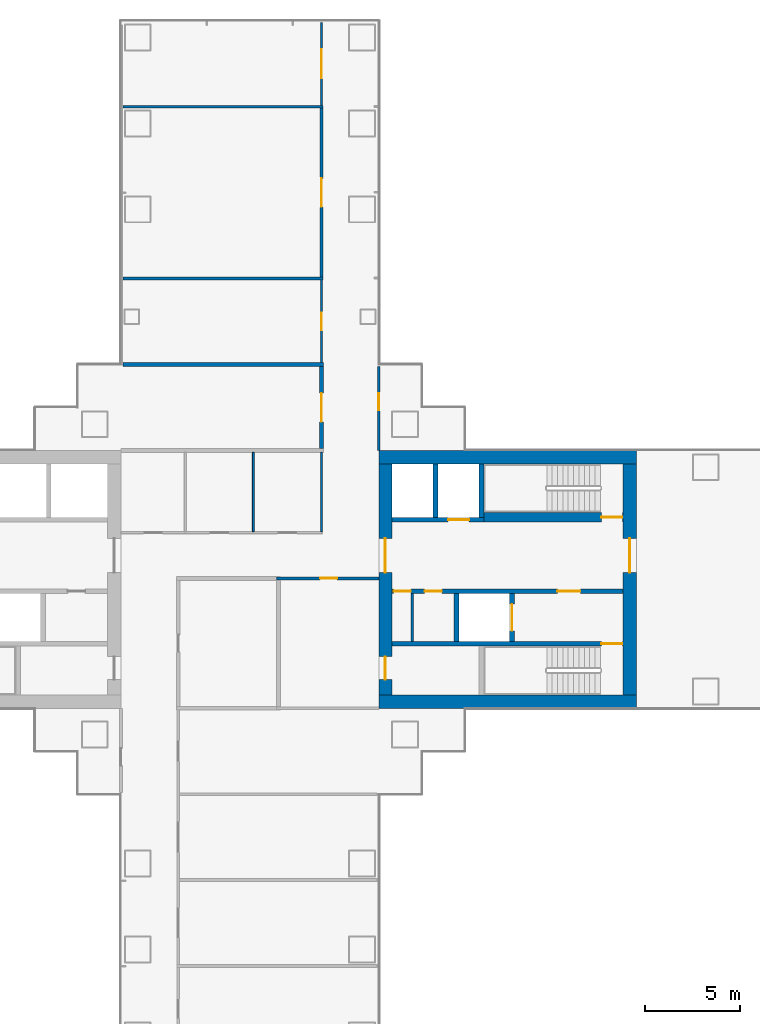
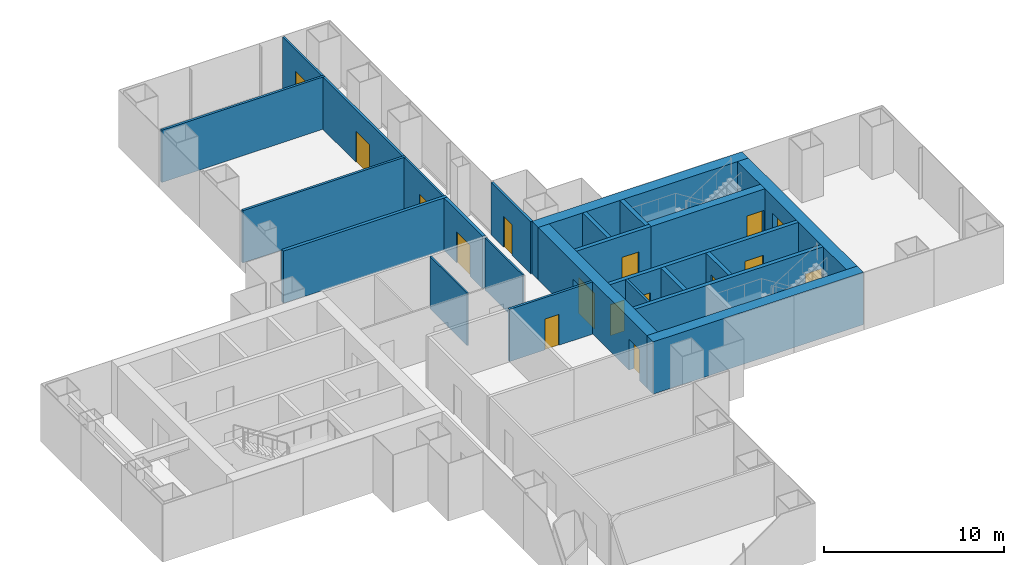
# One storey, part 17 of 21: 24 walls, 16 doors, 16 openings.
"""IFC4 building model written with IfcOpenShell, lengths in metres."""

from ifc_helpers import new_model, si_unit, direction, frame, frame_2d, origin, place, context, subcontext, project, spatial, rectangle, extrude, material, layer, layer_set, type_object, element, fill, save


model = new_model("IFC4")

# Units and contexts
model_context = context("Model", 3, precision=1e-05, world=origin(), true_north=direction((0.0, 1.0)))
body_context = subcontext(model_context, "Body", "Model", "MODEL_VIEW")
ifc_project = project(units=[si_unit("LENGTHUNIT", "METRE"), si_unit("AREAUNIT", "SQUARE_METRE"), si_unit("VOLUMEUNIT", "CUBIC_METRE"), si_unit("PLANEANGLEUNIT", "RADIAN"), si_unit("MASSUNIT", "GRAM", prefix="KILO")], contexts=[model_context])

# Site, building, storey
site_placement = place(None, origin())
site = spatial("IfcSite", under=ifc_project, at=site_placement, CompositionType="ELEMENT")
building_placement = place(site_placement, origin())
building = spatial("IfcBuilding", under=site, at=building_placement, Name="Shamsa Quay Exchange Towers", CompositionType="ELEMENT")
storey_placement = place(building_placement, frame((0.0, 0.0, 45.89990234375)))
storey = spatial("IfcBuildingStorey", under=building, at=storey_placement, Name="L09", CompositionType="ELEMENT", Elevation=45.89990234375)

# Walls
ifc_material_1 = material(Name="Concrete C80/95", Category="concrete")
ifc_layer_1 = layer(ifc_material_1, 0.699951171875)
ifc_layer_set_1 = layer_set([ifc_layer_1], Name="CORE WALL 700 C80/95")
wall_type_1 = type_object("IfcWallType", Name="CORE WALL 700 C80/95", PredefinedType="SHEAR", material=ifc_layer_set_1)
for number, where, z_axis, x_axis, name in (
    (1, (54.0, -6.39990234375, 0.0), (0.0, 0.0, 1.0), (-1.0, 0.0, 0.0), "Core wall T2B-R03-PS"),
    (2, (54.0, 6.39990234375, 0.0), (0.0, 0.0, 1.0), (-1.0, 0.0, 0.0), "Core wall T2B-R03-PN"),
):
    element("IfcWall", number, at=place(storey_placement, frame(where, z_axis=z_axis, x_axis=x_axis)), inside=storey, type_object=wall_type_1, Name=name, PredefinedType="SHEAR", context=body_context, shape_type="SweptSolid", body=[
        extrude(rectangle(XDim=13.5, YDim=0.699951171875, at=frame_2d((6.75, 0.0))), origin(), (0.0, 0.0, 1.0), 3.550048828125),
    ])

# Wall, opening, door
wall_1_placement = place(storey_placement, frame((53.64990234375, -6.050048828125, 0.0), z_axis=(0.0, 0.0, 1.0), x_axis=(0.0, 1.0, 0.0)))
wall_1 = element("IfcWall", 3, at=wall_1_placement, inside=storey, type_object=wall_type_1, Name="Core wall T2B-R03-PF", PredefinedType="SHEAR", context=body_context, shape_type="SweptSolid", body=[
    extrude(rectangle(XDim=12.10009765625, YDim=0.699951171875, at=frame_2d((6.050048828125, 0.0))), origin(), (0.0, 0.0, 1.0), 3.550048828125),
])
opening_1_placement = place(wall_1_placement, frame((6.39990234375, 0.0, 0.0)))
opening_1 = element("IfcOpeningElement", 4, at=opening_1_placement, cuts=wall_1, Name="Opening T2B-R03-LBD01", PredefinedType="OPENING", context=body_context, shape_type="SweptSolid", body=[
    extrude(rectangle(XDim=1.800048828125, YDim=2.39990234375, at=frame_2d((0.89990234375, 1.199951171875))), frame((0.0, 0.35986328125, 0.0), z_axis=(0.0, -1.0, 0.0), x_axis=(1.0, 0.0, 0.0)), (0.0, 0.0, 1.0), 0.719970703125),
])
ifc_material_2 = material(Name="Steel, fire rated", Category="steel")
door_type_1 = type_object("IfcDoorType", Name="LIFT LOBBY DOOR PAIR 1800", OperationType="DOUBLE_DOOR_SINGLE_SWING", PredefinedType="DOOR", material=ifc_material_2)
door_1_placement = place(opening_1_placement, origin())
door_1 = element("IfcDoor", 5, at=door_1_placement, inside=storey, type_object=door_type_1, Name="T2B-R03-LBD01", OperationType="DOUBLE_DOOR_SINGLE_SWING", OverallHeight=2.39990234375, OverallWidth=1.800048828125, PredefinedType="DOOR", context=body_context, shape_type="SweptSolid", body=[
    extrude(rectangle(XDim=1.800048828125, YDim=2.39990234375, at=frame_2d((0.89990234375, 1.199951171875))), frame((0.0, 0.02490234375, 0.0), z_axis=(0.0, -1.0, 0.0), x_axis=(1.0, 0.0, 0.0)), (0.0, 0.0, 1.0), 0.050048828125),
])
fill(opening_1, door_1)

# Wall, openings, doors
wall_2_placement = place(storey_placement, frame((40.85009765625, -6.050048828125, 0.0), z_axis=(0.0, 0.0, 1.0), x_axis=(0.0, 1.0, 0.0)))
wall_2 = element("IfcWall", 6, at=wall_2_placement, inside=storey, type_object=wall_type_1, Name="Core wall T2B-R03-PB", PredefinedType="SHEAR", context=body_context, shape_type="SweptSolid", body=[
    extrude(rectangle(XDim=12.10009765625, YDim=0.699951171875, at=frame_2d((6.050048828125, 0.0))), origin(), (0.0, 0.0, 1.0), 3.550048828125),
])
opening_2_placement = place(wall_2_placement, frame((0.800048828125, 0.0, 0.0)))
opening_2 = element("IfcOpeningElement", 7, at=opening_2_placement, cuts=wall_2, Name="Opening T2B-R03-RD02", PredefinedType="OPENING", context=body_context, shape_type="SweptSolid", body=[
    extrude(rectangle(XDim=1.199951171875, YDim=2.10009765625, at=frame_2d((0.60009765625, 1.050048828125))), frame((0.0, 0.35986328125, 0.0), z_axis=(0.0, -1.0, 0.0), x_axis=(1.0, 0.0, 0.0)), (0.0, 0.0, 1.0), 0.719970703125),
])
opening_3_placement = place(wall_2_placement, frame((6.39990234375, 0.0, 0.0)))
opening_3 = element("IfcOpeningElement", 8, at=opening_3_placement, cuts=wall_2, Name="Opening T2B-R03-LBD03", PredefinedType="OPENING", context=body_context, shape_type="SweptSolid", body=[
    extrude(rectangle(XDim=1.800048828125, YDim=2.39990234375, at=frame_2d((0.89990234375, 1.199951171875))), frame((0.0, 0.35986328125, 0.0), z_axis=(0.0, -1.0, 0.0), x_axis=(1.0, 0.0, 0.0)), (0.0, 0.0, 1.0), 0.719970703125),
])
door_2_placement = place(opening_3_placement, origin())
door_2 = element("IfcDoor", 9, at=door_2_placement, inside=storey, type_object=door_type_1, Name="T2B-R03-LBD03", OperationType="DOUBLE_DOOR_SINGLE_SWING", OverallHeight=2.39990234375, OverallWidth=1.800048828125, PredefinedType="DOOR", context=body_context, shape_type="SweptSolid", body=[
    extrude(rectangle(XDim=1.800048828125, YDim=2.39990234375, at=frame_2d((0.89990234375, 1.199951171875))), frame((0.0, 0.02490234375, 0.0), z_axis=(0.0, -1.0, 0.0), x_axis=(1.0, 0.0, 0.0)), (0.0, 0.0, 1.0), 0.050048828125),
])
fill(opening_3, door_2)
door_type_2 = type_object("IfcDoorType", Name="RISER ACCESS DOOR 1200", OperationType="SINGLE_SWING_LEFT", PredefinedType="DOOR", material=ifc_material_2)
door_3_placement = place(opening_2_placement, origin())
door_3 = element("IfcDoor", 10, at=door_3_placement, inside=storey, type_object=door_type_2, Name="T2B-R03-RD02", OperationType="SINGLE_SWING_LEFT", OverallHeight=2.10009765625, OverallWidth=1.199951171875, PredefinedType="DOOR", context=body_context, shape_type="SweptSolid", body=[
    extrude(rectangle(XDim=1.199951171875, YDim=2.10009765625, at=frame_2d((0.60009765625, 1.050048828125))), frame((0.0, 0.02490234375, 0.0), z_axis=(0.0, -1.0, 0.0), x_axis=(1.0, 0.0, 0.0)), (0.0, 0.0, 1.0), 0.050048828125),
])
fill(opening_2, door_3)

# Wall
ifc_material_3 = material(Name="Gypsum board on steel studs, EI 60", Category="steel")
ifc_layer_2 = layer(ifc_material_3, 0.14990234375)
ifc_layer_set_2 = layer_set([ifc_layer_2], Name="FIRE PARTITION 150")
wall_type_2 = type_object("IfcWallType", Name="FIRE PARTITION 150", PredefinedType="PARTITIONING", material=ifc_layer_set_2)
wall_3_placement = place(storey_placement, frame((42.25, -3.25, 0.0), z_axis=(0.0, 0.0, 1.0), x_axis=(0.0, 1.0, 0.0)))
element("IfcWall", 11, at=wall_3_placement, inside=storey, type_object=wall_type_2, Name="Partition T2B-R03-EC0", PredefinedType="PARTITIONING", context=body_context, shape_type="SweptSolid", body=[
    extrude(rectangle(XDim=2.5, YDim=0.14990234375, at=frame_2d((1.25, 0.0))), origin(), (0.0, 0.0, 1.0), 3.550048828125),
])

# Wall, opening, door
ifc_material_4 = material(Name="Laminated fire-resisting glass in a metal frame", Category="glass")
ifc_layer_3 = layer(ifc_material_4, 0.125)
ifc_layer_set_3 = layer_set([ifc_layer_3], Name="Glazed partition 125 mm EI 60")
wall_type_3 = type_object("IfcWallType", Name="Glazed partition 125 mm EI 60", PredefinedType="PARTITIONING", material=ifc_layer_set_3)
wall_4_placement = place(storey_placement, frame((37.5, 24.824951171875, 0.0), z_axis=(0.0, 0.0, 1.0), x_axis=(0.0, 1.0, 0.0)))
wall_4 = element("IfcWall", 12, at=wall_4_placement, inside=storey, type_object=wall_type_3, Name="Partition T2-R03-W02", PredefinedType="PARTITIONING", context=body_context, shape_type="SweptSolid", body=[
    extrude(rectangle(XDim=4.330078125, YDim=0.125, at=frame_2d((2.1650390625, 0.0))), origin(), (0.0, 0.0, 1.0), 3.550048828125),
])
opening_4_placement = place(wall_4_placement, frame((1.425048828125, 0.0, 0.0)))
opening_4 = element("IfcOpeningElement", 13, at=opening_4_placement, cuts=wall_4, Name="Opening T2-R03-D08", PredefinedType="OPENING", context=body_context, shape_type="SweptSolid", body=[
    extrude(rectangle(XDim=1.5, YDim=2.10009765625, at=frame_2d((0.75, 1.050048828125))), frame((0.0, 0.072509765625, 0.0), z_axis=(0.0, -1.0, 0.0), x_axis=(1.0, 0.0, 0.0)), (0.0, 0.0, 1.0), 0.14501953125),
])
ifc_material_5 = material(Name="Timber door leaf in a metal frame", Category="wood")
door_type_3 = type_object("IfcDoorType", Name="Door 1500x2100 FD30S pair", OperationType="NOTDEFINED", PredefinedType="DOOR", material=ifc_material_5)
door_4_placement = place(opening_4_placement, origin())
door_4 = element("IfcDoor", 14, at=door_4_placement, inside=storey, type_object=door_type_3, Name="Door T2-R03-D08", OperationType="DOUBLE_DOOR_SINGLE_SWING", OverallHeight=2.10009765625, OverallWidth=1.5, PredefinedType="DOOR", context=body_context, shape_type="SweptSolid", body=[
    extrude(rectangle(XDim=1.5, YDim=2.10009765625, at=frame_2d((0.75, 1.050048828125))), frame((0.0, 0.02490234375, 0.0), z_axis=(0.0, -1.0, 0.0), x_axis=(1.0, 0.0, 0.0)), (0.0, 0.0, 1.0), 0.050048828125),
])
fill(opening_4, door_4)

wall_5_placement = place(storey_placement, frame((37.5, 11.35009765625, 0.0), z_axis=(0.0, 0.0, 1.0), x_axis=(0.0, 1.0, 0.0)))
wall_5 = element("IfcWall", 15, at=wall_5_placement, inside=storey, type_object=wall_type_3, Name="Partition T2-R03-W03", PredefinedType="PARTITIONING", context=body_context, shape_type="SweptSolid", body=[
    extrude(rectangle(XDim=4.324951171875, YDim=0.125, at=frame_2d((2.16259765625, 0.0))), origin(), (0.0, 0.0, 1.0), 3.550048828125),
])
opening_5_placement = place(wall_5_placement, frame((1.699951171875, 0.0, 0.0)))
opening_5 = element("IfcOpeningElement", 16, at=opening_5_placement, cuts=wall_5, Name="Opening T2-R03-D06", PredefinedType="OPENING", context=body_context, shape_type="SweptSolid", body=[
    extrude(rectangle(XDim=0.89990234375, YDim=2.10009765625, at=frame_2d((0.449951171875, 1.050048828125))), frame((0.0, 0.072509765625, 0.0), z_axis=(0.0, -1.0, 0.0), x_axis=(1.0, 0.0, 0.0)), (0.0, 0.0, 1.0), 0.14501953125),
])
door_type_4 = type_object("IfcDoorType", Name="Door 900x2100 FD30S", OperationType="NOTDEFINED", PredefinedType="DOOR", material=ifc_material_5)
door_5_placement = place(opening_5_placement, origin())
door_5 = element("IfcDoor", 17, at=door_5_placement, inside=storey, type_object=door_type_4, Name="Door T2-R03-D06", OperationType="SINGLE_SWING_RIGHT", OverallHeight=2.10009765625, OverallWidth=0.89990234375, PredefinedType="DOOR", context=body_context, shape_type="SweptSolid", body=[
    extrude(rectangle(XDim=0.89990234375, YDim=2.10009765625, at=frame_2d((0.449951171875, 1.050048828125))), frame((0.0, 0.02490234375, 0.0), z_axis=(0.0, -1.0, 0.0), x_axis=(1.0, 0.0, 0.0)), (0.0, 0.0, 1.0), 0.050048828125),
])
fill(opening_5, door_5)

# Walls
ifc_material_6 = material(Name="Gypsum board partition on metal studs")
ifc_layer_4 = layer(ifc_material_6, 0.10009765625)
ifc_layer_set_4 = layer_set([ifc_layer_4], Name="Partition 100 mm NOT RATED")
wall_type_4 = type_object("IfcWallType", Name="Partition 100 mm NOT RATED", PredefinedType="PARTITIONING", material=ifc_layer_set_4)
for number, where, z_axis, x_axis, name in (
    (18, (37.5, 2.500244140625, 0.0), (0.0, 0.0, 1.0), (0.0, 1.0, 0.0), "Partition T2-R03-W05"),
    (19, (33.9375, 6.64990234375, 0.0), (0.0, 0.0, 1.0), (0.0, -1.0, 0.0), "Partition T2-R03-W18"),
):
    element("IfcWall", number, at=place(storey_placement, frame(where, z_axis=z_axis, x_axis=x_axis)), inside=storey, type_object=wall_type_4, Name=name, PredefinedType="PARTITIONING", context=body_context, shape_type="SweptSolid", body=[
        extrude(rectangle(XDim=4.149658203125, YDim=0.10009765625, at=frame_2d((2.07470703125, 0.0))), origin(), (0.0, 0.0, 1.0), 3.550048828125),
    ])

# Wall, opening, door
ifc_layer_5 = layer(ifc_material_6, 0.14990234375)
ifc_layer_set_5 = layer_set([ifc_layer_5], Name="Partition 150 mm EI 60")
wall_type_5 = type_object("IfcWallType", Name="Partition 150 mm EI 60", PredefinedType="PARTITIONING", material=ifc_layer_set_5)
wall_6_placement = place(storey_placement, frame((37.5, 15.824951171875, 0.0), z_axis=(0.0, 0.0, 1.0), x_axis=(0.0, 1.0, 0.0)))
wall_6 = element("IfcWall", 20, at=wall_6_placement, inside=storey, type_object=wall_type_5, Name="Partition T2-R03-W04", PredefinedType="PARTITIONING", context=body_context, shape_type="SweptSolid", body=[
    extrude(rectangle(XDim=8.85009765625, YDim=0.14990234375, at=frame_2d((4.425048828125, 0.0))), origin(), (0.0, 0.0, 1.0), 3.550048828125),
])
opening_6_placement = place(wall_6_placement, frame((3.675048828125, 0.0, 0.0)))
opening_6 = element("IfcOpeningElement", 21, at=opening_6_placement, cuts=wall_6, Name="Opening T2-R03-D07", PredefinedType="OPENING", context=body_context, shape_type="SweptSolid", body=[
    extrude(rectangle(XDim=1.5, YDim=2.10009765625, at=frame_2d((0.75, 1.050048828125))), frame((0.0, 0.0849609375, 0.0), z_axis=(0.0, -1.0, 0.0), x_axis=(1.0, 0.0, 0.0)), (0.0, 0.0, 1.0), 0.169921875),
])
door_6_placement = place(opening_6_placement, origin())
door_6 = element("IfcDoor", 22, at=door_6_placement, inside=storey, type_object=door_type_3, Name="Door T2-R03-D07", OperationType="DOUBLE_DOOR_SINGLE_SWING", OverallHeight=2.10009765625, OverallWidth=1.5, PredefinedType="DOOR", context=body_context, shape_type="SweptSolid", body=[
    extrude(rectangle(XDim=1.5, YDim=2.10009765625, at=frame_2d((0.75, 1.050048828125))), frame((0.0, 0.02490234375, 0.0), z_axis=(0.0, -1.0, 0.0), x_axis=(1.0, 0.0, 0.0)), (0.0, 0.0, 1.0), 0.050048828125),
])
fill(opening_6, door_6)

wall_7_placement = place(storey_placement, frame((40.5, 0.0498046875, 0.0), z_axis=(0.0, 0.0, 1.0), x_axis=(-1.0, 0.0, 0.0)))
wall_7 = element("IfcWall", 23, at=wall_7_placement, inside=storey, type_object=wall_type_5, Name="Partition T2-R03-W09", PredefinedType="PARTITIONING", context=body_context, shape_type="SweptSolid", body=[
    extrude(rectangle(XDim=5.35009765625, YDim=0.14990234375, at=frame_2d((2.675048828125, 0.0))), origin(), (0.0, 0.0, 1.0), 3.550048828125),
])
opening_7_placement = place(wall_7_placement, frame((2.175048828125, 0.0, 0.0)))
opening_7 = element("IfcOpeningElement", 24, at=opening_7_placement, cuts=wall_7, Name="Opening T2-R03-D09", PredefinedType="OPENING", context=body_context, shape_type="SweptSolid", body=[
    extrude(rectangle(XDim=0.89990234375, YDim=2.10009765625, at=frame_2d((0.449951171875, 1.050048828125))), frame((0.0, 0.0849609375, 0.0), z_axis=(0.0, -1.0, 0.0), x_axis=(1.0, 0.0, 0.0)), (0.0, 0.0, 1.0), 0.169921875),
])
door_7_placement = place(opening_7_placement, origin())
door_7 = element("IfcDoor", 25, at=door_7_placement, inside=storey, type_object=door_type_4, Name="Door T2-R03-D09", OperationType="SINGLE_SWING_LEFT", OverallHeight=2.10009765625, OverallWidth=0.89990234375, PredefinedType="DOOR", context=body_context, shape_type="SweptSolid", body=[
    extrude(rectangle(XDim=0.89990234375, YDim=2.10009765625, at=frame_2d((0.449951171875, 1.050048828125))), frame((0.0, 0.02490234375, 0.0), z_axis=(0.0, -1.0, 0.0), x_axis=(1.0, 0.0, 0.0)), (0.0, 0.0, 1.0), 0.050048828125),
])
fill(opening_7, door_7)

wall_8_placement = place(storey_placement, frame((40.5, 11.155029296875, 0.0), z_axis=(0.0, 0.0, 1.0), x_axis=(0.0, -1.0, 0.0)))
wall_8 = element("IfcWall", 26, at=wall_8_placement, inside=storey, type_object=wall_type_5, Name="Partition T2-R03-W12", PredefinedType="PARTITIONING", context=body_context, shape_type="SweptSolid", body=[
    extrude(rectangle(XDim=4.405029296875, YDim=0.14990234375, at=frame_2d((2.20263671875, 0.0))), origin(), (0.0, 0.0, 1.0), 3.550048828125),
])
opening_8_placement = place(wall_8_placement, frame((1.405029296875, 0.0, 0.0)))
opening_8 = element("IfcOpeningElement", 27, at=opening_8_placement, cuts=wall_8, Name="Opening T2-R03-D01", PredefinedType="OPENING", context=body_context, shape_type="SweptSolid", body=[
    extrude(rectangle(XDim=0.89990234375, YDim=2.10009765625, at=frame_2d((0.449951171875, 1.050048828125))), frame((0.0, 0.0849609375, 0.0), z_axis=(0.0, -1.0, 0.0), x_axis=(1.0, 0.0, 0.0)), (0.0, 0.0, 1.0), 0.169921875),
])
door_8_placement = place(opening_8_placement, origin())
door_8 = element("IfcDoor", 28, at=door_8_placement, inside=storey, type_object=door_type_4, Name="Door T2-R03-D01", OperationType="SINGLE_SWING_LEFT", OverallHeight=2.10009765625, OverallWidth=0.89990234375, PredefinedType="DOOR", context=body_context, shape_type="SweptSolid", body=[
    extrude(rectangle(XDim=0.89990234375, YDim=2.10009765625, at=frame_2d((0.449951171875, 1.050048828125))), frame((0.0, 0.02490234375, 0.0), z_axis=(0.0, -1.0, 0.0), x_axis=(1.0, 0.0, 0.0)), (0.0, 0.0, 1.0), 0.050048828125),
])
fill(opening_8, door_8)

# Walls
for number, where, z_axis, x_axis, name in (
    (29, (37.574951171875, 15.75, 0.0), (0.0, 0.0, 1.0), (-1.0, 0.0, 0.0), "Partition T2-R03-W16"),
    (30, (37.574951171875, 24.75, 0.0), (0.0, 0.0, 1.0), (-1.0, 0.0, 0.0), "Partition T2-R03-W17"),
):
    element("IfcWall", number, at=place(storey_placement, frame(where, z_axis=z_axis, x_axis=x_axis)), inside=storey, type_object=wall_type_5, Name=name, PredefinedType="PARTITIONING", context=body_context, shape_type="SweptSolid", body=[
        extrude(rectangle(XDim=10.47998046875, YDim=0.14990234375, at=frame_2d((5.239990234375, 0.0))), origin(), (0.0, 0.0, 1.0), 3.550048828125),
    ])

# Wall, opening, door
ifc_layer_6 = layer(ifc_material_6, 0.199951171875)
ifc_layer_set_6 = layer_set([ifc_layer_6], Name="Partition 200 mm EI 90")
wall_type_6 = type_object("IfcWallType", Name="Partition 200 mm EI 90", PredefinedType="PARTITIONING", material=ifc_layer_set_6)
wall_9_placement = place(storey_placement, frame((37.5, 6.85009765625, 0.0), z_axis=(0.0, 0.0, 1.0), x_axis=(0.0, 1.0, 0.0)))
wall_9 = element("IfcWall", 31, at=wall_9_placement, inside=storey, type_object=wall_type_6, Name="Partition T2-R03-W01", PredefinedType="PARTITIONING", context=body_context, shape_type="SweptSolid", body=[
    extrude(rectangle(XDim=4.2998046875, YDim=0.199951171875, at=frame_2d((2.14990234375, 0.0))), origin(), (0.0, 0.0, 1.0), 3.550048828125),
])
opening_9_placement = place(wall_9_placement, frame((1.39990234375, 0.0, 0.0)))
opening_9 = element("IfcOpeningElement", 32, at=opening_9_placement, cuts=wall_9, Name="Opening T2-R03-D05", PredefinedType="OPENING", context=body_context, shape_type="SweptSolid", body=[
    extrude(rectangle(XDim=1.5, YDim=2.10009765625, at=frame_2d((0.75, 1.050048828125))), frame((0.0, 0.10986328125, 0.0), z_axis=(0.0, -1.0, 0.0), x_axis=(1.0, 0.0, 0.0)), (0.0, 0.0, 1.0), 0.219970703125),
])
door_9_placement = place(opening_9_placement, origin())
door_9 = element("IfcDoor", 33, at=door_9_placement, inside=storey, type_object=door_type_3, Name="Door T2-R03-D05", OperationType="DOUBLE_DOOR_SINGLE_SWING", OverallHeight=2.10009765625, OverallWidth=1.5, PredefinedType="DOOR", context=body_context, shape_type="SweptSolid", body=[
    extrude(rectangle(XDim=1.5, YDim=2.10009765625, at=frame_2d((0.75, 1.050048828125))), frame((0.0, 0.02490234375, 0.0), z_axis=(0.0, -1.0, 0.0), x_axis=(1.0, 0.0, 0.0)), (0.0, 0.0, 1.0), 0.050048828125),
])
fill(opening_9, door_9)

# Wall
wall_10_placement = place(storey_placement, frame((37.60009765625, 11.25, 0.0), z_axis=(0.0, 0.0, 1.0), x_axis=(-1.0, 0.0, 0.0)))
element("IfcWall", 34, at=wall_10_placement, inside=storey, type_object=wall_type_6, Name="Partition T2-R03-W14", PredefinedType="PARTITIONING", context=body_context, shape_type="SweptSolid", body=[
    extrude(rectangle(XDim=10.505126953125, YDim=0.199951171875, at=frame_2d((5.25244140625, 0.0))), origin(), (0.0, 0.0, 1.0), 3.550048828125),
])

# Wall, opening, door
ifc_material_7 = material(Name="Concrete C50/60", Category="concrete")
ifc_layer_7 = layer(ifc_material_7, 0.25)
ifc_layer_set_7 = layer_set([ifc_layer_7], Name="SHAFT WALL 250 C50/60")
wall_type_7 = type_object("IfcWallType", Name="SHAFT WALL 250 C50/60", PredefinedType="SHEAR", material=ifc_layer_set_7)
wall_11_placement = place(storey_placement, frame((53.300048828125, -3.375, 0.0), z_axis=(0.0, 0.0, 1.0), x_axis=(-1.0, 0.0, 0.0)))
wall_11 = element("IfcWall", 35, at=wall_11_placement, inside=storey, type_object=wall_type_7, Name="Shaft wall T2B-R03-STL", PredefinedType="SHEAR", context=body_context, shape_type="SweptSolid", body=[
    extrude(rectangle(XDim=12.10009765625, YDim=0.25, at=frame_2d((6.050048828125, 0.0))), origin(), (0.0, 0.0, 1.0), 3.550048828125),
])
opening_10_placement = place(wall_11_placement, frame((0.050048828125, 0.0, 0.0)))
opening_10 = element("IfcOpeningElement", 36, at=opening_10_placement, cuts=wall_11, Name="Opening T2B-R03-SD04", PredefinedType="OPENING", context=body_context, shape_type="SweptSolid", body=[
    extrude(rectangle(XDim=1.10009765625, YDim=2.10009765625, at=frame_2d((0.550048828125, 1.050048828125))), frame((0.0, 0.135009765625, 0.0), z_axis=(0.0, -1.0, 0.0), x_axis=(1.0, 0.0, 0.0)), (0.0, 0.0, 1.0), 0.27001953125),
])
door_type_5 = type_object("IfcDoorType", Name="STAIR DOOR 1100", OperationType="SINGLE_SWING_LEFT", PredefinedType="DOOR", material=ifc_material_2)
door_10_placement = place(opening_10_placement, origin())
door_10 = element("IfcDoor", 37, at=door_10_placement, inside=storey, type_object=door_type_5, Name="T2B-R03-SD04", OperationType="SINGLE_SWING_LEFT", OverallHeight=2.10009765625, OverallWidth=1.10009765625, PredefinedType="DOOR", context=body_context, shape_type="SweptSolid", body=[
    extrude(rectangle(XDim=1.10009765625, YDim=2.10009765625, at=frame_2d((0.550048828125, 1.050048828125))), frame((0.0, 0.02490234375, 0.0), z_axis=(0.0, -1.0, 0.0), x_axis=(1.0, 0.0, 0.0)), (0.0, 0.0, 1.0), 0.050048828125),
])
fill(opening_10, door_10)

# Wall, openings, doors
wall_12_placement = place(storey_placement, frame((53.300048828125, -0.625, 0.0), z_axis=(0.0, 0.0, 1.0), x_axis=(-1.0, 0.0, 0.0)))
wall_12 = element("IfcWall", 38, at=wall_12_placement, inside=storey, type_object=wall_type_7, Name="Shaft wall T2B-R03-B", PredefinedType="SHEAR", context=body_context, shape_type="SweptSolid", body=[
    extrude(rectangle(XDim=12.10009765625, YDim=0.25, at=frame_2d((6.050048828125, 0.0))), origin(), (0.0, 0.0, 1.0), 3.550048828125),
])
opening_11_placement = place(wall_12_placement, frame((2.25, 0.0, 0.0)))
opening_11 = element("IfcOpeningElement", 39, at=opening_11_placement, cuts=wall_12, Name="Opening T2B-R03-FD05", PredefinedType="OPENING", context=body_context, shape_type="SweptSolid", body=[
    extrude(rectangle(XDim=1.199951171875, YDim=2.10009765625, at=frame_2d((0.60009765625, 1.050048828125))), frame((0.0, 0.135009765625, 0.0), z_axis=(0.0, -1.0, 0.0), x_axis=(1.0, 0.0, 0.0)), (0.0, 0.0, 1.0), 0.27001953125),
])
opening_12_placement = place(wall_12_placement, frame((9.5, 0.0, 0.0)))
opening_12 = element("IfcOpeningElement", 40, at=opening_12_placement, cuts=wall_12, Name="Opening T2B-R03-SV06", PredefinedType="OPENING", context=body_context, shape_type="SweptSolid", body=[
    extrude(rectangle(XDim=0.89990234375, YDim=2.10009765625, at=frame_2d((0.449951171875, 1.050048828125))), frame((0.0, 0.135009765625, 0.0), z_axis=(0.0, -1.0, 0.0), x_axis=(1.0, 0.0, 0.0)), (0.0, 0.0, 1.0), 0.27001953125),
])
opening_13_placement = place(wall_12_placement, frame((11.125, 0.0, 0.0)))
opening_13 = element("IfcOpeningElement", 41, at=opening_13_placement, cuts=wall_12, Name="Opening T2B-R03-SV07", PredefinedType="OPENING", context=body_context, shape_type="SweptSolid", body=[
    extrude(rectangle(XDim=0.89990234375, YDim=2.10009765625, at=frame_2d((0.449951171875, 1.050048828125))), frame((0.0, 0.135009765625, 0.0), z_axis=(0.0, -1.0, 0.0), x_axis=(1.0, 0.0, 0.0)), (0.0, 0.0, 1.0), 0.27001953125),
])
door_type_6 = type_object("IfcDoorType", Name="FIRE SERVICE LOBBY DOOR 1200", OperationType="SINGLE_SWING_LEFT", PredefinedType="DOOR", material=ifc_material_2)
door_11_placement = place(opening_11_placement, origin())
door_11 = element("IfcDoor", 42, at=door_11_placement, inside=storey, type_object=door_type_6, Name="T2B-R03-FD05", OperationType="SINGLE_SWING_LEFT", OverallHeight=2.10009765625, OverallWidth=1.199951171875, PredefinedType="DOOR", context=body_context, shape_type="SweptSolid", body=[
    extrude(rectangle(XDim=1.199951171875, YDim=2.10009765625, at=frame_2d((0.60009765625, 1.050048828125))), frame((0.0, 0.02490234375, 0.0), z_axis=(0.0, -1.0, 0.0), x_axis=(1.0, 0.0, 0.0)), (0.0, 0.0, 1.0), 0.050048828125),
])
fill(opening_11, door_11)
door_type_7 = type_object("IfcDoorType", Name="SERVICE ROOM DOOR 900", OperationType="SINGLE_SWING_LEFT", PredefinedType="DOOR", material=ifc_material_2)
door_12_placement = place(opening_12_placement, origin())
door_12 = element("IfcDoor", 43, at=door_12_placement, inside=storey, type_object=door_type_7, Name="T2B-R03-SV06", OperationType="SINGLE_SWING_RIGHT", OverallHeight=2.10009765625, OverallWidth=0.89990234375, PredefinedType="DOOR", context=body_context, shape_type="SweptSolid", body=[
    extrude(rectangle(XDim=0.89990234375, YDim=2.10009765625, at=frame_2d((0.449951171875, 1.050048828125))), frame((0.0, 0.02490234375, 0.0), z_axis=(0.0, -1.0, 0.0), x_axis=(1.0, 0.0, 0.0)), (0.0, 0.0, 1.0), 0.050048828125),
])
fill(opening_12, door_12)
door_13_placement = place(opening_13_placement, origin())
door_13 = element("IfcDoor", 44, at=door_13_placement, inside=storey, type_object=door_type_7, Name="T2B-R03-SV07", OperationType="SINGLE_SWING_RIGHT", OverallHeight=2.10009765625, OverallWidth=0.89990234375, PredefinedType="DOOR", context=body_context, shape_type="SweptSolid", body=[
    extrude(rectangle(XDim=0.89990234375, YDim=2.10009765625, at=frame_2d((0.449951171875, 1.050048828125))), frame((0.0, 0.02490234375, 0.0), z_axis=(0.0, -1.0, 0.0), x_axis=(1.0, 0.0, 0.0)), (0.0, 0.0, 1.0), 0.050048828125),
])
fill(opening_13, door_13)

# Wall, opening, door
wall_13_placement = place(storey_placement, frame((47.47509765625, -3.25, 0.0), z_axis=(0.0, 0.0, 1.0), x_axis=(0.0, 1.0, 0.0)))
wall_13 = element("IfcWall", 45, at=wall_13_placement, inside=storey, type_object=wall_type_7, Name="Shaft wall T2B-R03-FFF", PredefinedType="SHEAR", context=body_context, shape_type="SweptSolid", body=[
    extrude(rectangle(XDim=2.5, YDim=0.25, at=frame_2d((1.25, 0.0))), origin(), (0.0, 0.0, 1.0), 3.550048828125),
])
opening_14_placement = place(wall_13_placement, frame((0.550048828125, 0.0, 0.0)))
opening_14 = element("IfcOpeningElement", 46, at=opening_14_placement, cuts=wall_13, Name="Opening T2B-R03-LDG08", PredefinedType="OPENING", context=body_context, shape_type="SweptSolid", body=[
    extrude(rectangle(XDim=1.39990234375, YDim=2.39990234375, at=frame_2d((0.699951171875, 1.199951171875))), frame((0.0, 0.135009765625, 0.0), z_axis=(0.0, -1.0, 0.0), x_axis=(1.0, 0.0, 0.0)), (0.0, 0.0, 1.0), 0.27001953125),
])
door_type_8 = type_object("IfcDoorType", Name="GOODS LIFT LANDING DOOR 1400", OperationType="SLIDING_TO_LEFT", PredefinedType="DOOR", material=ifc_material_2)
door_14_placement = place(opening_14_placement, origin())
door_14 = element("IfcDoor", 47, at=door_14_placement, inside=storey, type_object=door_type_8, Name="T2B-R03-LDG08", OperationType="SLIDING_TO_LEFT", OverallHeight=2.39990234375, OverallWidth=1.39990234375, PredefinedType="DOOR", context=body_context, shape_type="SweptSolid", body=[
    extrude(rectangle(XDim=1.39990234375, YDim=2.39990234375, at=frame_2d((0.699951171875, 1.199951171875))), frame((0.0, 0.02490234375, 0.0), z_axis=(0.0, -1.0, 0.0), x_axis=(1.0, 0.0, 0.0)), (0.0, 0.0, 1.0), 0.050048828125),
])
fill(opening_14, door_14)

# Wall
wall_14_placement = place(storey_placement, frame((44.574951171875, -3.25, 0.0), z_axis=(0.0, 0.0, 1.0), x_axis=(0.0, 1.0, 0.0)))
element("IfcWall", 48, at=wall_14_placement, inside=storey, type_object=wall_type_7, Name="Shaft wall T2B-R03-FFB", PredefinedType="SHEAR", context=body_context, shape_type="SweptSolid", body=[
    extrude(rectangle(XDim=2.5, YDim=0.25, at=frame_2d((1.25, 0.0))), origin(), (0.0, 0.0, 1.0), 3.550048828125),
])

# Wall, opening, door
wall_15_placement = place(storey_placement, frame((46.0, 3.125, 0.0), z_axis=(0.0, 0.0, 1.0), x_axis=(-1.0, 0.0, 0.0)))
wall_15 = element("IfcWall", 49, at=wall_15_placement, inside=storey, type_object=wall_type_7, Name="Shaft wall T2B-R03-N2", PredefinedType="SHEAR", context=body_context, shape_type="SweptSolid", body=[
    extrude(rectangle(XDim=4.800048828125, YDim=0.25, at=frame_2d((2.39990234375, 0.0))), origin(), (0.0, 0.0, 1.0), 3.550048828125),
])
opening_15_placement = place(wall_15_placement, frame((0.77490234375, 0.0, 0.0)))
opening_15 = element("IfcOpeningElement", 50, at=opening_15_placement, cuts=wall_15, Name="Opening T2B-R03-LD10", PredefinedType="OPENING", context=body_context, shape_type="SweptSolid", body=[
    extrude(rectangle(XDim=1.10009765625, YDim=2.10009765625, at=frame_2d((0.550048828125, 1.050048828125))), frame((0.0, 0.135009765625, 0.0), z_axis=(0.0, -1.0, 0.0), x_axis=(1.0, 0.0, 0.0)), (0.0, 0.0, 1.0), 0.27001953125),
])
door_type_9 = type_object("IfcDoorType", Name="LANDING DOOR 1100", OperationType="SLIDING_TO_LEFT", PredefinedType="DOOR", material=ifc_material_2)
door_15_placement = place(opening_15_placement, origin())
door_15 = element("IfcDoor", 51, at=door_15_placement, inside=storey, type_object=door_type_9, Name="T2B-R03-LD10", OperationType="SLIDING_TO_LEFT", OverallHeight=2.10009765625, OverallWidth=1.10009765625, PredefinedType="DOOR", context=body_context, shape_type="SweptSolid", body=[
    extrude(rectangle(XDim=1.10009765625, YDim=2.10009765625, at=frame_2d((0.550048828125, 1.050048828125))), frame((0.0, 0.02490234375, 0.0), z_axis=(0.0, -1.0, 0.0), x_axis=(1.0, 0.0, 0.0)), (0.0, 0.0, 1.0), 0.050048828125),
])
fill(opening_15, door_15)

# Walls
for number, where, z_axis, x_axis, name in (
    (52, (45.875, 3.25, 0.0), (0.0, 0.0, 1.0), (0.0, 1.0, 0.0), "Shaft wall T2B-R03-STF2"),
    (53, (43.47509765625, 3.25, 0.0), (0.0, 0.0, 1.0), (0.0, 1.0, 0.0), "Shaft wall T2B-R03-D0"),
):
    element("IfcWall", number, at=place(storey_placement, frame(where, z_axis=z_axis, x_axis=x_axis)), inside=storey, type_object=wall_type_7, Name=name, PredefinedType="SHEAR", context=body_context, shape_type="SweptSolid", body=[
        extrude(rectangle(XDim=2.800048828125, YDim=0.25, at=frame_2d((1.39990234375, 0.0))), origin(), (0.0, 0.0, 1.0), 3.550048828125),
    ])

# Wall, opening, door
ifc_layer_8 = layer(ifc_material_7, 0.5)
ifc_layer_set_8 = layer_set([ifc_layer_8], Name="SHAFT WALL 500 C50/60")
wall_type_8 = type_object("IfcWallType", Name="SHAFT WALL 500 C50/60", PredefinedType="SHEAR", material=ifc_layer_set_8)
wall_16_placement = place(storey_placement, frame((46.0, 3.25, 0.0)))
wall_16 = element("IfcWall", 54, at=wall_16_placement, inside=storey, type_object=wall_type_8, Name="Shaft wall T2B-R03-N", PredefinedType="SHEAR", context=body_context, shape_type="SweptSolid", body=[
    extrude(rectangle(XDim=7.300048828125, YDim=0.5, at=frame_2d((3.64990234375, 0.0))), origin(), (0.0, 0.0, 1.0), 3.550048828125),
])
opening_16_placement = place(wall_16_placement, frame((6.14990234375, 0.0, 0.0)))
opening_16 = element("IfcOpeningElement", 55, at=opening_16_placement, cuts=wall_16, Name="Opening T2B-R03-SD09", PredefinedType="OPENING", context=body_context, shape_type="SweptSolid", body=[
    extrude(rectangle(XDim=1.10009765625, YDim=2.10009765625, at=frame_2d((0.550048828125, 1.050048828125))), frame((0.0, 0.260009765625, 0.0), z_axis=(0.0, -1.0, 0.0), x_axis=(1.0, 0.0, 0.0)), (0.0, 0.0, 1.0), 0.52001953125),
])
door_16_placement = place(opening_16_placement, origin())
door_16 = element("IfcDoor", 56, at=door_16_placement, inside=storey, type_object=door_type_5, Name="T2B-R03-SD09", OperationType="SINGLE_SWING_RIGHT", OverallHeight=2.10009765625, OverallWidth=1.10009765625, PredefinedType="DOOR", context=body_context, shape_type="SweptSolid", body=[
    extrude(rectangle(XDim=1.10009765625, YDim=2.10009765625, at=frame_2d((0.550048828125, 1.050048828125))), frame((0.0, 0.02490234375, 0.0), z_axis=(0.0, -1.0, 0.0), x_axis=(1.0, 0.0, 0.0)), (0.0, 0.0, 1.0), 0.050048828125),
])
fill(opening_16, door_16)

save(model, "model.ifc")
